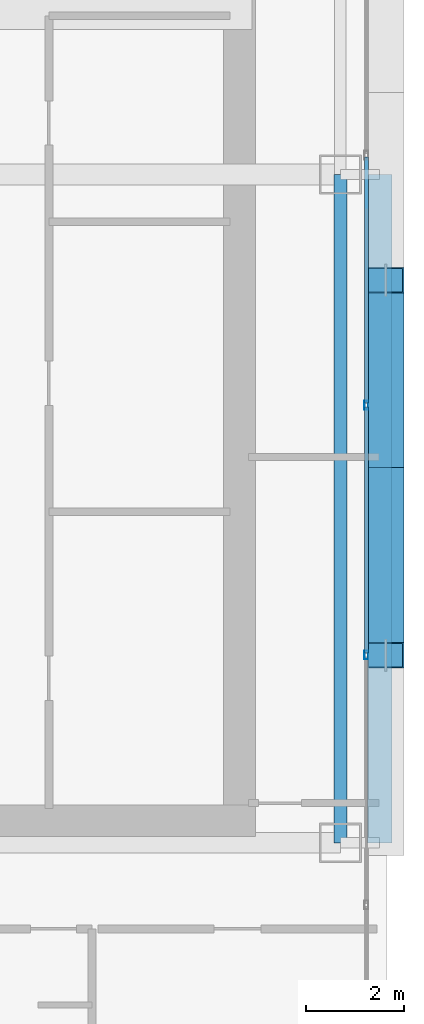
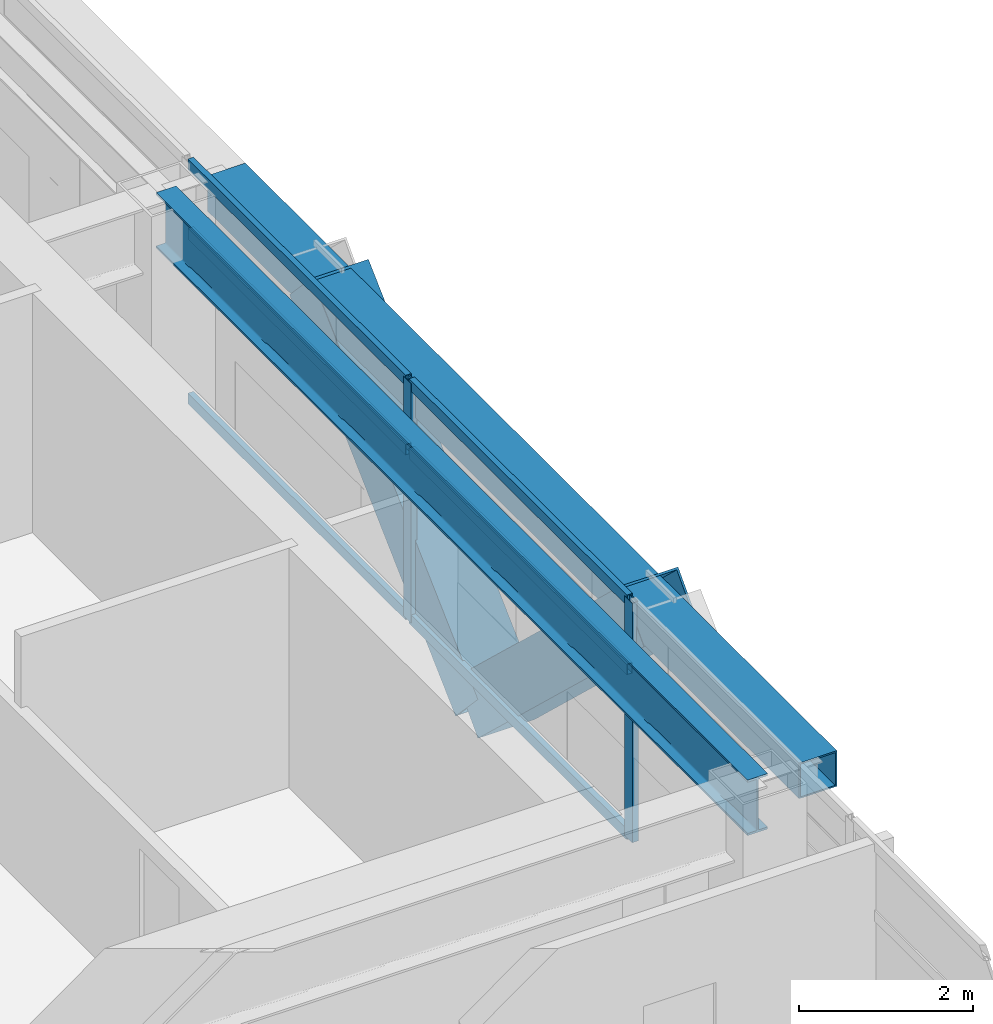
# One storey, part 13 of 35: 10 members, 2 beams, 1 element without a shape of its own.
"""IFC4 building model written with IfcOpenShell, lengths in metres."""

from ifc_helpers import new_model, si_unit, direction, frame, origin, origin_2d, place, context, subcontext, project, spatial, hollow_rectangle, i_section, extrude, source, transform, mapped, material, layer, layer_set, material_profile, profile_set, type_object, element, aggregate, save


model = new_model("IFC4")

# Units and contexts
model_context = context("Model", 3, precision=1e-05, world=origin(), true_north=direction((0.0, 1.0)))
body_context = subcontext(model_context, "Body", "Model", "MODEL_VIEW")
ifc_project = project(units=[si_unit("LENGTHUNIT", "METRE"), si_unit("AREAUNIT", "SQUARE_METRE"), si_unit("VOLUMEUNIT", "CUBIC_METRE"), si_unit("PLANEANGLEUNIT", "RADIAN"), si_unit("MASSUNIT", "GRAM", prefix="KILO")], contexts=[model_context])

# Site, building, storey
site_placement = place(None, origin())
site = spatial("IfcSite", under=ifc_project, at=site_placement, CompositionType="ELEMENT")
building_placement = place(site_placement, origin())
building = spatial("IfcBuilding", under=site, at=building_placement, Name="Ocotamira Hotel", CompositionType="ELEMENT")
storey_placement = place(building_placement, frame((0.0, 0.0, 140.39990234375)))
storey = spatial("IfcBuildingStorey", under=building, at=storey_placement, Name="L35", CompositionType="ELEMENT", Elevation=140.39990234375)

# Beams
ifc_material_1 = material(Name="Steel ASTM A992 Grade 50", Category="steel")
ifc_material_profile_1 = material_profile(ifc_material_1, i_section(OverallWidth=0.26611328125, OverallDepth=0.779052734375, WebThickness=0.0166015625, FlangeThickness=0.030029296875, FilletRadius=0.01806640625, at=origin_2d()), Name="W30X148")
ifc_profile_set_1 = profile_set([ifc_material_profile_1], Name="Steel ASTM A992 Grade 50")
beam_type_1 = type_object("IfcBeamType", Name="BM-GIRD-W30X148", PredefinedType="BEAM", material=ifc_profile_set_1)
shared_shape_1 = source(origin(), body_context, "Body", "SweptSolid", [
    extrude(i_section(OverallWidth=0.26611328125, OverallDepth=0.779052734375, WebThickness=0.0166015625, FlangeThickness=0.030029296875, FilletRadius=0.01806640625, at=origin_2d()), origin(), (0.0, 0.0, 1.0), 13.599853515625),
])
beam_1_placement = place(storey_placement, frame((55.050048828125, 14.550048828125, 2.970703125), z_axis=(0.0, 1.0, 0.0), x_axis=(-1.0, 0.0, 0.0)))
element("IfcBeam", 1, at=beam_1_placement, inside=storey, type_object=beam_type_1, Name="L35 Beam X55.05 Y14.55-28.15", PredefinedType="BEAM", context=body_context, shape_type="MappedRepresentation", body=[
    mapped(shared_shape_1, transform((0.0, 0.0, 0.0), scale=1.0)),
])
ifc_material_2 = material(Name="Steel ASTM A500 Grade C", Category="steel")
ifc_material_profile_2 = material_profile(ifc_material_2, hollow_rectangle(XDim=0.5, YDim=0.5, WallThickness=0.02001953125, at=origin_2d()), Name="HSS500X500X20")
ifc_profile_set_2 = profile_set([ifc_material_profile_2], Name="Steel ASTM A500 Grade C")
beam_type_2 = type_object("IfcBeamType", Name="BM-SPAN-HSS500", PredefinedType="USERDEFINED", material=ifc_profile_set_2)
shared_shape_2 = source(origin(), body_context, "Body", "SweptSolid", [
    extrude(hollow_rectangle(XDim=0.5, YDim=0.5, WallThickness=0.02001953125, at=origin_2d()), origin(), (0.0, 0.0, 1.0), 13.599853515625),
])
beam_2_placement = place(storey_placement, frame((55.85009765625, 14.550048828125, 3.110107421875), z_axis=(0.0, 1.0, 0.0), x_axis=(-1.0, 0.0, 0.0)))
element("IfcBeam", 2, at=beam_2_placement, inside=storey, type_object=beam_type_2, Name="L35 Edge Spandrel E Y14.55-28.15", ObjectType="SPANDREL", PredefinedType="USERDEFINED", context=body_context, shape_type="MappedRepresentation", body=[
    mapped(shared_shape_2, transform((0.0, 0.0, 0.0), scale=1.0)),
])

# Members
ifc_material_3 = material(Name="Pale-metal coated steel ASTM A913 Grade 65", Category="steel")
ifc_material_profile_3 = material_profile(ifc_material_3, hollow_rectangle(XDim=0.75, YDim=0.75, WallThickness=0.028076171875, at=origin_2d()), Name="BOX750X750X28")
ifc_profile_set_3 = profile_set([ifc_material_profile_3], Name="Pale-metal coated steel ASTM A913 Grade 65")
member_type_1 = type_object("IfcMemberType", Name="MEM-EXO-BOX750", PredefinedType="BRACE", material=ifc_profile_set_3)
shared_shape_3 = source(origin(), body_context, "Body", "SweptSolid", [
    extrude(hollow_rectangle(XDim=0.75, YDim=0.75, WallThickness=0.028076171875, at=origin_2d()), origin(), (0.0, 0.0, 1.0), 5.24658203125),
])
for number, where, z_axis, x_axis, name in (
    (3, (55.969970703125, 22.183349609375, -0.489990234375), (0.0, -0.727442733726, 0.686168397078), (1.0, 0.0, 0.0), "L35 Exoskeleton Diagrid E0.2"),
    (4, (55.969970703125, 22.183349609375, -0.489990234375), (0.0, 0.727442733726, 0.686168397078), (-1.0, 0.0, 0.0), "L35 Exoskeleton Diagrid E1.1"),
):
    element("IfcMember", number, at=place(storey_placement, frame(where, z_axis=z_axis, x_axis=x_axis)), inside=storey, type_object=member_type_1, Name=name, PredefinedType="BRACE", context=body_context, shape_type="MappedRepresentation", body=[
        mapped(shared_shape_3, transform((0.0, 0.0, 0.0), scale=1.0)),
    ])

# Curtain wall, members
ifc_material_4 = material(Name="Anodised pale-metal aluminium and solar glass", Category="aluminium")
ifc_layer = layer(ifc_material_4, 0.179931640625)
ifc_layer_set = layer_set([ifc_layer], Name="Anodised pale-metal aluminium and solar glass")
curtain_wall_type = type_object("IfcCurtainWallType", Name="CW-SYS3-Z2", PredefinedType="NOTDEFINED", material=ifc_layer_set)
curtain_wall_placement = place(storey_placement, origin())
curtain_wall = element("IfcCurtainWall", 5, at=curtain_wall_placement, inside=storey, type_object=curtain_wall_type, Name="L35 Curtain Wall CW-3 CW-L35-E", PredefinedType="NOTDEFINED")
ifc_material_5 = material(Name="Anodised pale-metal aluminium 6063-T6", Category="aluminium")
ifc_material_profile_4 = material_profile(ifc_material_5, hollow_rectangle(XDim=0.074951171875, YDim=0.14990234375, WallThickness=0.006103515625, at=origin_2d()), Name="HSS150X75X6")
ifc_profile_set_4 = profile_set([ifc_material_profile_4], Name="Anodised pale-metal aluminium 6063-T6")
member_type_2 = type_object("IfcMemberType", Name="CWT-150X75", PredefinedType="USERDEFINED", material=ifc_profile_set_4)
shared_shape_4 = source(origin(), body_context, "Body", "SweptSolid", [
    extrude(hollow_rectangle(XDim=0.074951171875, YDim=0.14990234375, WallThickness=0.006103515625, at=origin_2d()), origin(), (0.0, 0.0, 1.0), 5.005859375),
])
member_1_placement = place(storey_placement, frame((55.580078125, 18.411376953125, 0.03759765625), z_axis=(0.0, 1.0, 0.0), x_axis=(-1.0, 0.0, 0.0)))
member_1 = element("IfcMember", 6, at=member_1_placement, type_object=member_type_2, Name="CW-3 transom 3.1", ObjectType="TRANSOM", PredefinedType="USERDEFINED", context=body_context, shape_type="MappedRepresentation", body=[
    mapped(shared_shape_4, transform((0.0, 0.0, 0.0), scale=1.0)),
])
member_2_placement = place(storey_placement, frame((55.580078125, 18.411376953125, 2.35009765625), z_axis=(0.0, 1.0, 0.0), x_axis=(-1.0, 0.0, 0.0)))
member_2 = element("IfcMember", 7, at=member_2_placement, type_object=member_type_2, Name="CW-3 transom 3.2", ObjectType="TRANSOM", PredefinedType="USERDEFINED", context=body_context, shape_type="MappedRepresentation", body=[
    mapped(shared_shape_4, transform((0.0, 0.0, 0.0), scale=1.0)),
])
member_3_placement = place(storey_placement, frame((55.580078125, 18.411376953125, 3.322509765625), z_axis=(0.0, 1.0, 0.0), x_axis=(-1.0, 0.0, 0.0)))
member_3 = element("IfcMember", 8, at=member_3_placement, type_object=member_type_2, Name="CW-3 transom 3.3", ObjectType="TRANSOM", PredefinedType="USERDEFINED", context=body_context, shape_type="MappedRepresentation", body=[
    mapped(shared_shape_4, transform((0.0, 0.0, 0.0), scale=1.0)),
])
member_4_placement = place(storey_placement, frame((55.580078125, 23.4970703125, 0.03759765625), z_axis=(0.0, 1.0, 0.0), x_axis=(-1.0, 0.0, 0.0)))
member_4 = element("IfcMember", 9, at=member_4_placement, type_object=member_type_2, Name="CW-3 transom 4.1", ObjectType="TRANSOM", PredefinedType="USERDEFINED", context=body_context, shape_type="MappedRepresentation", body=[
    mapped(shared_shape_4, transform((0.0, 0.0, 0.0), scale=1.0)),
])
member_5_placement = place(storey_placement, frame((55.580078125, 23.4970703125, 2.35009765625), z_axis=(0.0, 1.0, 0.0), x_axis=(-1.0, 0.0, 0.0)))
member_5 = element("IfcMember", 10, at=member_5_placement, type_object=member_type_2, Name="CW-3 transom 4.2", ObjectType="TRANSOM", PredefinedType="USERDEFINED", context=body_context, shape_type="MappedRepresentation", body=[
    mapped(shared_shape_4, transform((0.0, 0.0, 0.0), scale=1.0)),
])
member_6_placement = place(storey_placement, frame((55.580078125, 23.4970703125, 3.322509765625), z_axis=(0.0, 1.0, 0.0), x_axis=(-1.0, 0.0, 0.0)))
member_6 = element("IfcMember", 11, at=member_6_placement, type_object=member_type_2, Name="CW-3 transom 4.3", ObjectType="TRANSOM", PredefinedType="USERDEFINED", context=body_context, shape_type="MappedRepresentation", body=[
    mapped(shared_shape_4, transform((0.0, 0.0, 0.0), scale=1.0)),
])
ifc_material_profile_5 = material_profile(ifc_material_5, hollow_rectangle(XDim=0.080078125, YDim=0.179931640625, WallThickness=0.006103515625, at=origin_2d()), Name="HSS180X80X6")
ifc_profile_set_5 = profile_set([ifc_material_profile_5], Name="Anodised pale-metal aluminium 6063-T6")
member_type_3 = type_object("IfcMemberType", Name="CWM-180X75", PredefinedType="MULLION", material=ifc_profile_set_5)
shared_shape_5 = source(origin(), body_context, "Body", "SweptSolid", [
    extrude(hollow_rectangle(XDim=0.080078125, YDim=0.179931640625, WallThickness=0.006103515625, at=origin_2d()), origin(), (0.0, 0.0, 1.0), 3.360107421875),
])
member_7_placement = place(storey_placement, frame((55.580078125, 18.371337890625, 0.0), z_axis=(0.0, 0.0, 1.0), x_axis=(-1.0, 0.0, 0.0)))
member_7 = element("IfcMember", 12, at=member_7_placement, type_object=member_type_3, Name="CW-3 mullion 3", PredefinedType="MULLION", context=body_context, shape_type="MappedRepresentation", body=[
    mapped(shared_shape_5, transform((0.0, 0.0, 0.0), scale=1.0)),
])
member_8_placement = place(storey_placement, frame((55.580078125, 23.45703125, 0.0), z_axis=(0.0, 0.0, 1.0), x_axis=(-1.0, 0.0, 0.0)))
member_8 = element("IfcMember", 13, at=member_8_placement, type_object=member_type_3, Name="CW-3 mullion 4", PredefinedType="MULLION", context=body_context, shape_type="MappedRepresentation", body=[
    mapped(shared_shape_5, transform((0.0, 0.0, 0.0), scale=1.0)),
])
aggregate(curtain_wall, [member_7, member_8, member_1, member_2, member_3, member_4, member_5, member_6])

save(model, "model.ifc")
